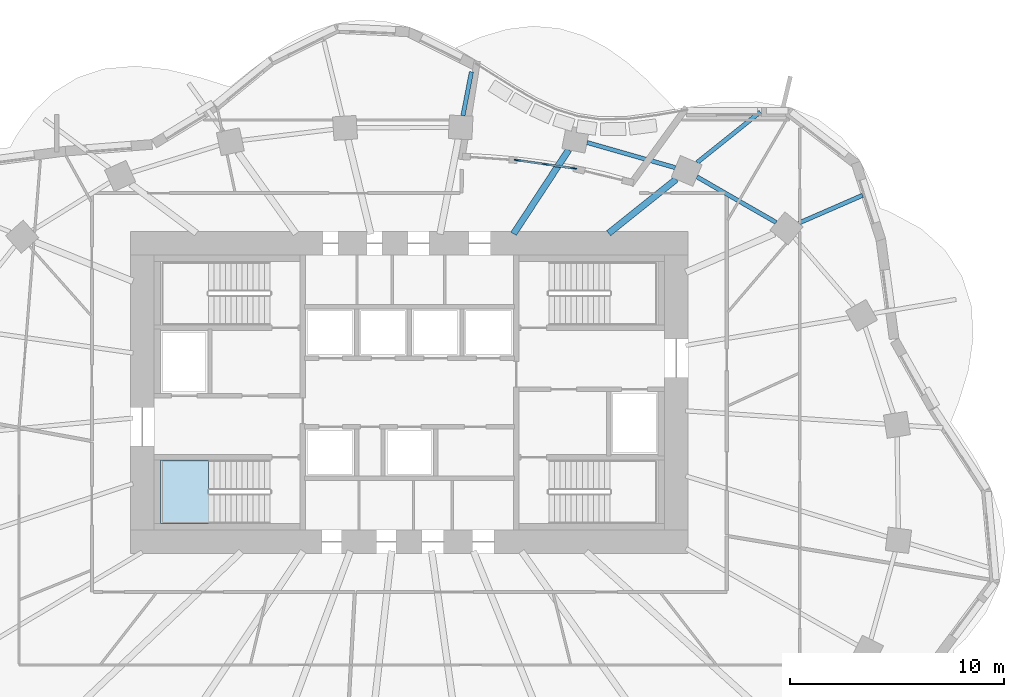
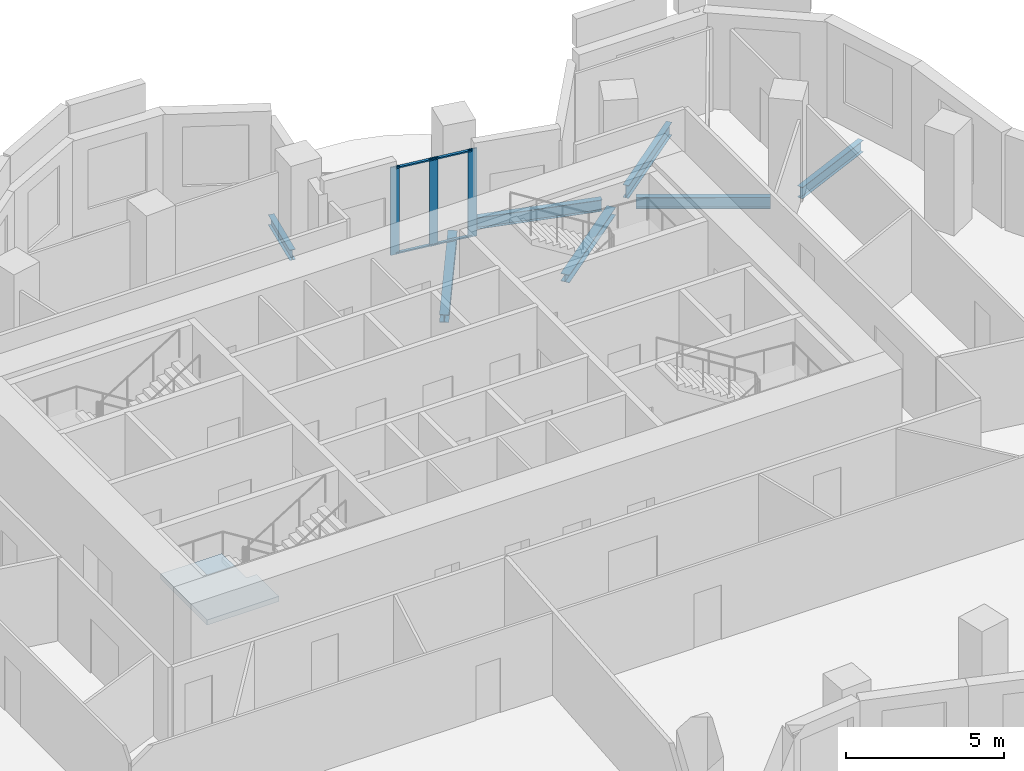
# One storey, part 3 of 11: 7 beams, 7 members, 1 slab, 2 elements without a shape of their own.
"""IFC4 building model written with IfcOpenShell, lengths in metres."""

from ifc_helpers import new_model, si_unit, direction, frame, origin, origin_2d, place, context, subcontext, project, spatial, polyline, rectangle, i_section, outline, extrude, material, layer, layer_set, material_profile, profile_set, type_object, element, aggregate, save


model = new_model("IFC4")

# Units and contexts
model_context = context("Model", 3, precision=1e-05, world=origin(), true_north=direction((0.0, 1.0)))
body_context = subcontext(model_context, "Body", "Model", "MODEL_VIEW")
ifc_project = project(units=[si_unit("LENGTHUNIT", "METRE"), si_unit("AREAUNIT", "SQUARE_METRE"), si_unit("VOLUMEUNIT", "CUBIC_METRE"), si_unit("PLANEANGLEUNIT", "RADIAN"), si_unit("MASSUNIT", "GRAM", prefix="KILO")], contexts=[model_context])

# Site, building, storey
site_placement = place(None, origin())
site = spatial("IfcSite", under=ifc_project, at=site_placement, CompositionType="ELEMENT")
building_placement = place(site_placement, origin())
building = spatial("IfcBuilding", under=site, at=building_placement, Name="Rubra Terraces Tower", CompositionType="ELEMENT")
storey_placement = place(building_placement, frame((0.0, 0.0, 146.10009765625)))
storey = spatial("IfcBuildingStorey", under=building, at=storey_placement, Name="L35", CompositionType="ELEMENT", Elevation=146.10009765625)

# Beams
ifc_material_1 = material(Name="Steel Q355B", Category="steel")
ifc_material_profile_1 = material_profile(ifc_material_1, i_section(OverallWidth=0.199951171875, OverallDepth=0.39990234375, WebThickness=0.008056640625, FlangeThickness=0.012939453125, at=origin_2d()), Name="HN 400x200x8x13")
ifc_profile_set_1 = profile_set([ifc_material_profile_1], Name="Steel Q355B")
beam_type_1 = type_object("IfcBeamType", Name="CANTILEVER BEAM HN 400x200x8x13", PredefinedType="BEAM", material=ifc_profile_set_1)
beam_1_placement = place(storey_placement, frame((2.498046875, 17.406982421875, -0.400146484375), z_axis=(0.189664702906, 0.981848919372, 0.0), x_axis=(-0.981848919372, 0.189664702906, 0.0)))
element("IfcBeam", 1, at=beam_1_placement, inside=storey, type_object=beam_type_1, Name="beam-L35-cant-06", PredefinedType="BEAM", context=body_context, shape_type="SweptSolid", body=[
    extrude(i_section(OverallWidth=0.199951171875, OverallDepth=0.39990234375, WebThickness=0.008056640625, FlangeThickness=0.012939453125, at=origin_2d()), origin(), (0.0, 0.0, 1.0), 2.082763671875),
])
ifc_material_profile_2 = material_profile(ifc_material_1, i_section(OverallWidth=0.198974609375, OverallDepth=0.446044921875, WebThickness=0.008056640625, FlangeThickness=0.011962890625, at=origin_2d()), Name="HN 446x199x8x12")
ifc_profile_set_2 = profile_set([ifc_material_profile_2], Name="Steel Q355B")
beam_type_2 = type_object("IfcBeamType", Name="CANTILEVER BEAM HN 446x199x8x12", PredefinedType="BEAM", material=ifc_profile_set_2)
beam_2_placement = place(storey_placement, frame((18.14990234375, 12.39697265625, -0.423095703125), z_axis=(0.916903974268, 0.399107882622, 0.0), x_axis=(-0.399107882622, 0.916903974268, 0.0)))
element("IfcBeam", 2, at=beam_2_placement, inside=storey, type_object=beam_type_2, Name="beam-L35-cant-03", PredefinedType="BEAM", context=body_context, shape_type="SweptSolid", body=[
    extrude(i_section(OverallWidth=0.198974609375, OverallDepth=0.446044921875, WebThickness=0.008056640625, FlangeThickness=0.011962890625, at=origin_2d()), origin(), (0.0, 0.0, 1.0), 3.25),
])
ifc_material_profile_3 = material_profile(ifc_material_1, i_section(OverallWidth=0.198974609375, OverallDepth=0.49609375, WebThickness=0.009033203125, FlangeThickness=0.013916015625, at=origin_2d()), Name="HN 496x199x9x14")
ifc_profile_set_3 = profile_set([ifc_material_profile_3], Name="Steel Q355B")
beam_type_3 = type_object("IfcBeamType", Name="CANTILEVER BEAM HN 496x199x9x14", PredefinedType="BEAM", material=ifc_profile_set_3)
beam_3_placement = place(storey_placement, frame((13.416015625, 15.222900390625, -0.447998046875), z_axis=(0.781134074702, 0.624363321584, 0.0), x_axis=(-0.624363321584, 0.781134074702, 0.0)))
element("IfcBeam", 3, at=beam_3_placement, inside=storey, type_object=beam_type_3, Name="beam-L35-cant-04", PredefinedType="BEAM", context=body_context, shape_type="SweptSolid", body=[
    extrude(i_section(OverallWidth=0.198974609375, OverallDepth=0.49609375, WebThickness=0.009033203125, FlangeThickness=0.013916015625, at=origin_2d()), origin(), (0.0, 0.0, 1.0), 3.770263671875),
])
ifc_material_profile_4 = material_profile(ifc_material_1, i_section(OverallWidth=0.304931640625, OverallDepth=0.300048828125, WebThickness=0.014892578125, FlangeThickness=0.014892578125, at=origin_2d()), Name="HW 300x305x15x15")
ifc_profile_set_4 = profile_set([ifc_material_profile_4], Name="Steel Q355B")
beam_type_4 = type_object("IfcBeamType", Name="FLOOR BEAM HW 300x305x15x15", PredefinedType="BEAM", material=ifc_profile_set_4)
beam_4_placement = place(storey_placement, frame((12.43798828125, 14.44091796875, -0.35009765625), z_axis=(-0.781170160898, -0.624318171867, 0.0), x_axis=(0.624318171867, -0.781170160898, 0.0)))
element("IfcBeam", 4, at=beam_4_placement, inside=storey, type_object=beam_type_4, Name="beam-L35-floor-04", PredefinedType="BEAM", context=body_context, shape_type="SweptSolid", body=[
    extrude(i_section(OverallWidth=0.304931640625, OverallDepth=0.300048828125, WebThickness=0.014892578125, FlangeThickness=0.014892578125, at=origin_2d()), origin(), (0.0, 0.0, 1.0), 4.02978515625),
])
beam_5_placement = place(storey_placement, frame((7.425048828125, 15.81005859375, -0.35009765625), z_axis=(-0.548820601732, -0.835940157616, 0.0), x_axis=(0.835940157616, -0.548820601732, 0.0)))
element("IfcBeam", 5, at=beam_5_placement, inside=storey, type_object=beam_type_4, Name="beam-L35-floor-05", PredefinedType="BEAM", context=body_context, shape_type="SweptSolid", body=[
    extrude(i_section(OverallWidth=0.304931640625, OverallDepth=0.300048828125, WebThickness=0.014892578125, FlangeThickness=0.014892578125, at=origin_2d()), origin(), (0.0, 0.0, 1.0), 4.677490234375),
])
ifc_material_profile_5 = material_profile(ifc_material_1, i_section(OverallWidth=0.198974609375, OverallDepth=0.446044921875, WebThickness=0.008056640625, FlangeThickness=0.011962890625, at=origin_2d()), Name="HN 446x199x8x12")
ifc_profile_set_5 = profile_set([ifc_material_profile_5], Name="Steel Q355B")
beam_type_5 = type_object("IfcBeamType", Name="SPANDREL BEAM HN 446x199x8x12", PredefinedType="SPANDREL", material=ifc_profile_set_5)
beam_6_placement = place(storey_placement, frame((17.10009765625, 12.428955078125, -0.423095703125), z_axis=(-0.866560147027, 0.49907265161, 0.0), x_axis=(-0.49907265161, -0.866560147027, 0.0)))
element("IfcBeam", 6, at=beam_6_placement, inside=storey, type_object=beam_type_5, Name="beam-L35-spandrel-03", PredefinedType="SPANDREL", context=body_context, shape_type="SweptSolid", body=[
    extrude(i_section(OverallWidth=0.198974609375, OverallDepth=0.446044921875, WebThickness=0.008056640625, FlangeThickness=0.011962890625, at=origin_2d()), origin(), (0.0, 0.0, 1.0), 4.26171875),
])
beam_7_placement = place(storey_placement, frame((12.39404296875, 14.98388671875, -0.423095703125), z_axis=(-0.961693978406, 0.274125321518, 0.0), x_axis=(-0.274125321518, -0.961693978406, 0.0)))
element("IfcBeam", 7, at=beam_7_placement, inside=storey, type_object=beam_type_5, Name="beam-L35-spandrel-04", PredefinedType="SPANDREL", context=body_context, shape_type="SweptSolid", body=[
    extrude(i_section(OverallWidth=0.198974609375, OverallDepth=0.446044921875, WebThickness=0.008056640625, FlangeThickness=0.011962890625, at=origin_2d()), origin(), (0.0, 0.0, 1.0), 4.27587890625),
])

# Curtain wall, members
ifc_material_2 = material(Name="Aluminium and glass", Category="aluminium")
curtain_wall_type = type_object("IfcCurtainWallType", Name="Curtain wall Terrace glazing", PredefinedType="NOTDEFINED", material=ifc_material_2)
curtain_wall_placement = place(storey_placement, origin())
curtain_wall = element("IfcCurtainWall", 8, at=curtain_wall_placement, inside=storey, type_object=curtain_wall_type, Name="Terrace glazing L35", PredefinedType="NOTDEFINED")
ifc_material_3 = material(Name="Aluminium, anodised dark grey", Category="aluminium")
ifc_material_profile_6 = material_profile(ifc_material_3, rectangle(XDim=0.050048828125, YDim=0.300048828125, at=origin_2d()), Name="AL 50x300")
ifc_profile_set_6 = profile_set([ifc_material_profile_6], Name="Aluminium, anodised dark grey")
member_type_1 = type_object("IfcMemberType", Name="Terrace glazing mullion 50 x 300", PredefinedType="MULLION", material=ifc_profile_set_6)
member_1_placement = place(storey_placement, frame((7.645751953125, 14.9521484375, 0.0), z_axis=(0.0, 0.0, 1.0), x_axis=(-0.142410349704, -0.989807704707, 0.0)))
member_1 = element("IfcMember", 9, at=member_1_placement, type_object=member_type_1, Name="CW3 mullion 1", PredefinedType="MULLION", context=body_context, shape_type="SweptSolid", body=[
    extrude(rectangle(XDim=0.050048828125, YDim=0.300048828125, at=origin_2d()), origin(), (0.0, 0.0, 1.0), 3.39990234375),
])
member_2_placement = place(storey_placement, frame((6.339599609375, 15.139892578125, 0.0), z_axis=(0.0, 0.0, 1.0), x_axis=(-0.142410349704, -0.989807704707, 0.0)))
member_2 = element("IfcMember", 10, at=member_2_placement, type_object=member_type_1, Name="CW3 mullion 2", PredefinedType="MULLION", context=body_context, shape_type="SweptSolid", body=[
    extrude(rectangle(XDim=0.050048828125, YDim=0.300048828125, at=origin_2d()), origin(), (0.0, 0.0, 1.0), 3.39990234375),
])
member_3_placement = place(storey_placement, frame((5.033447265625, 15.327880859375, 0.0), z_axis=(0.0, 0.0, 1.0), x_axis=(-0.142410349704, -0.989807704707, 0.0)))
member_3 = element("IfcMember", 11, at=member_3_placement, type_object=member_type_1, Name="CW3 mullion 3", PredefinedType="MULLION", context=body_context, shape_type="SweptSolid", body=[
    extrude(rectangle(XDim=0.050048828125, YDim=0.300048828125, at=origin_2d()), origin(), (0.0, 0.0, 1.0), 3.39990234375),
])
ifc_material_profile_7 = material_profile(ifc_material_3, rectangle(XDim=0.10009765625, YDim=0.050048828125, at=origin_2d()), Name="AL 100x50")
ifc_profile_set_7 = profile_set([ifc_material_profile_7], Name="Aluminium, anodised dark grey")
member_type_2 = type_object("IfcMemberType", Name="Terrace glazing transom 100 x 50", PredefinedType="USERDEFINED", material=ifc_profile_set_7)
member_4_placement = place(storey_placement, frame((7.62109375, 14.95556640625, 0.0498046875), z_axis=(-0.9897989675, 0.142471063504, 0.0), x_axis=(-0.142471063504, -0.9897989675, 0.0)))
member_4 = element("IfcMember", 12, at=member_4_placement, type_object=member_type_2, Name="CW3 transom 1.1", ObjectType="TRANSOM", PredefinedType="USERDEFINED", context=body_context, shape_type="SweptSolid", body=[
    extrude(rectangle(XDim=0.10009765625, YDim=0.050048828125, at=origin_2d()), origin(), (0.0, 0.0, 1.0), 1.269775390625),
])
member_5_placement = place(storey_placement, frame((7.62109375, 14.95556640625, 3.349853515625), z_axis=(-0.9897989675, 0.142471063504, 0.0), x_axis=(-0.142471063504, -0.9897989675, 0.0)))
member_5 = element("IfcMember", 13, at=member_5_placement, type_object=member_type_2, Name="CW3 transom 1.2", ObjectType="TRANSOM", PredefinedType="USERDEFINED", context=body_context, shape_type="SweptSolid", body=[
    extrude(rectangle(XDim=0.10009765625, YDim=0.050048828125, at=origin_2d()), origin(), (0.0, 0.0, 1.0), 1.269775390625),
])
member_6_placement = place(storey_placement, frame((6.31494140625, 15.1435546875, 0.0498046875), z_axis=(-0.9897989675, 0.142471063504, 0.0), x_axis=(-0.142471063504, -0.9897989675, 0.0)))
member_6 = element("IfcMember", 14, at=member_6_placement, type_object=member_type_2, Name="CW3 transom 2.1", ObjectType="TRANSOM", PredefinedType="USERDEFINED", context=body_context, shape_type="SweptSolid", body=[
    extrude(rectangle(XDim=0.10009765625, YDim=0.050048828125, at=origin_2d()), origin(), (0.0, 0.0, 1.0), 1.269775390625),
])
member_7_placement = place(storey_placement, frame((6.31494140625, 15.1435546875, 3.349853515625), z_axis=(-0.9897989675, 0.142471063504, 0.0), x_axis=(-0.142471063504, -0.9897989675, 0.0)))
member_7 = element("IfcMember", 15, at=member_7_placement, type_object=member_type_2, Name="CW3 transom 2.2", ObjectType="TRANSOM", PredefinedType="USERDEFINED", context=body_context, shape_type="SweptSolid", body=[
    extrude(rectangle(XDim=0.10009765625, YDim=0.050048828125, at=origin_2d()), origin(), (0.0, 0.0, 1.0), 1.269775390625),
])
aggregate(curtain_wall, [member_1, member_2, member_3, member_4, member_5, member_6, member_7])

# Stair, slab
ifc_material_4 = material(Name="Concrete C40", Category="concrete")
stair_type = type_object("IfcStairType", Name="Core stair 1400", PredefinedType="HALF_TURN_STAIR", material=ifc_material_4)
stair_placement = place(storey_placement, origin())
stair = element("IfcStair", 16, at=stair_placement, inside=storey, type_object=stair_type, Name="L35 Exit stair S1", PredefinedType="HALF_TURN_STAIR")
ifc_layer = layer(ifc_material_4, 0.199951171875)
ifc_layer_set = layer_set([ifc_layer], Name="Concrete C40")
slab_type = type_object("IfcSlabType", Name="Core stair landing 200", PredefinedType="LANDING", material=ifc_layer_set)
slab_placement = place(storey_placement, frame((0.0, 0.0, 1.75)))
slab = element("IfcSlab", 17, at=slab_placement, type_object=slab_type, Name="S1 landing 1", PredefinedType="LANDING", context=body_context, shape_type="SweptSolid", body=[
    extrude(outline(polyline([(-8.97998046875, -0.199951171875), (-8.97998046875, -1.60009765625), (-9.360107421875, -1.60009765625), (-9.3798828125, -1.60009765625), (-11.60009765625, -1.60009765625), (-11.60009765625, 1.35009765625), (-9.3798828125, 1.35009765625), (-9.35791015625, 1.35009765625), (-9.35791015625, -0.050048828125), (-9.360107421875, -0.050048828125), (-9.360107421875, -0.199951171875), (-8.97998046875, -0.199951171875)])), origin(), (0.0, 0.0, 1.0), 0.199951171875),
])
aggregate(stair, [slab])

save(model, "model.ifc")
